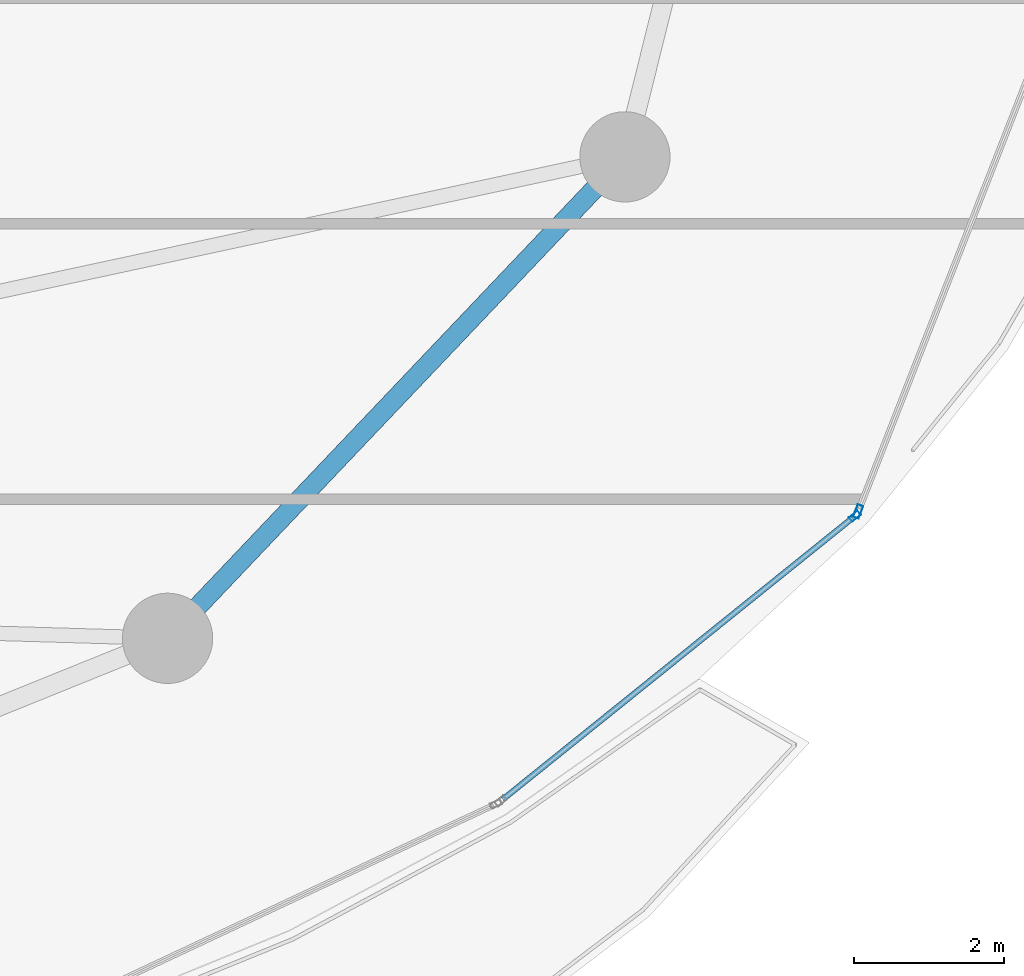
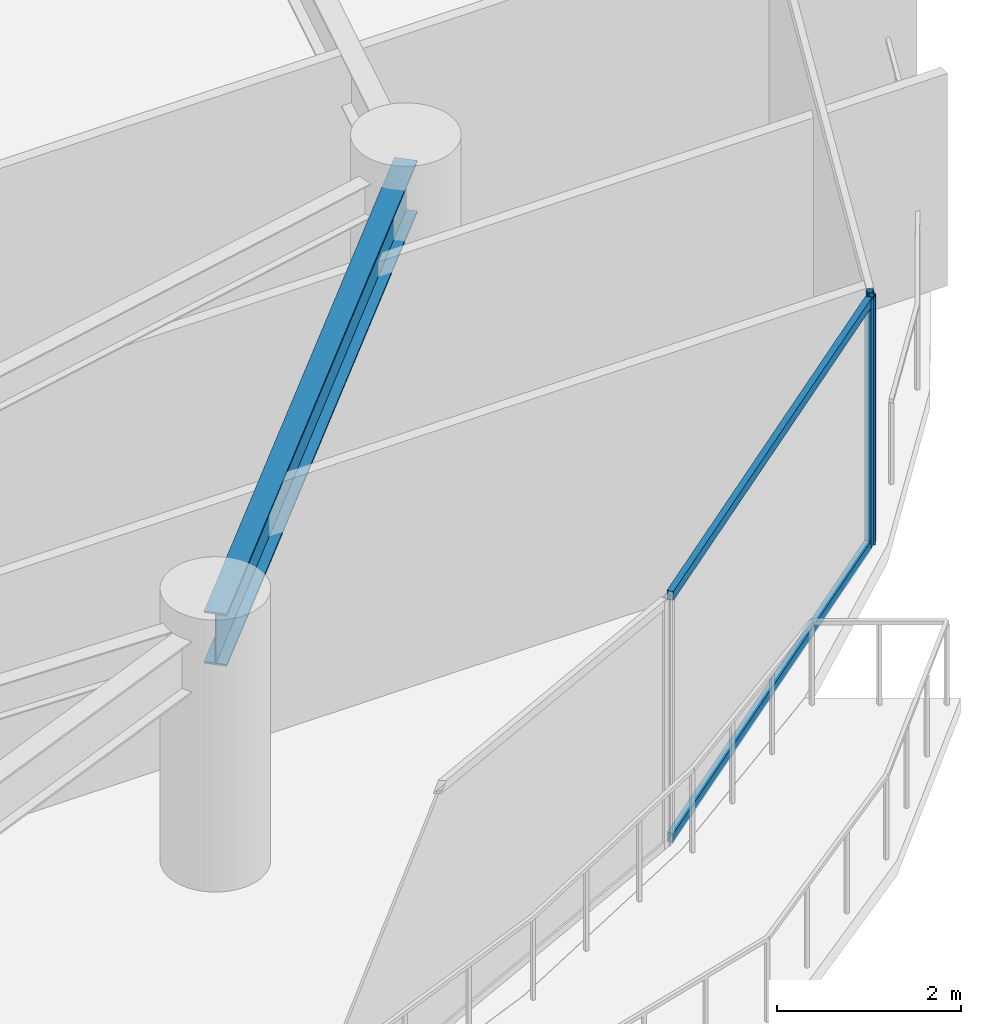
# One storey, part 15 of 33: 4 members, 1 beam, 2 elements without a shape of their own.
"""IFC4 building model written with IfcOpenShell, lengths in metres."""

from ifc_helpers import new_model, si_unit, direction, frame, origin, origin_2d, place, context, subcontext, project, spatial, hollow_rectangle, i_section, extrude, material, layer, layer_set, material_profile, profile_set, type_object, element, aggregate, save


model = new_model("IFC4")

# Units and contexts
model_context = context("Model", 3, precision=1e-05, world=origin(), true_north=direction((0.0, 1.0)))
body_context = subcontext(model_context, "Body", "Model", "MODEL_VIEW")
ifc_project = project(units=[si_unit("LENGTHUNIT", "METRE"), si_unit("AREAUNIT", "SQUARE_METRE"), si_unit("VOLUMEUNIT", "CUBIC_METRE"), si_unit("PLANEANGLEUNIT", "RADIAN"), si_unit("MASSUNIT", "GRAM", prefix="KILO")], contexts=[model_context])

# Site, building, storey
site_placement = place(None, origin())
site = spatial("IfcSite", under=ifc_project, at=site_placement, CompositionType="ELEMENT")
building_placement = place(site_placement, origin())
building = spatial("IfcBuilding", under=site, at=building_placement, Name="Kazevale Care Tower and Concert Hall", CompositionType="ELEMENT")
storey_placement = place(building_placement, frame((0.0, 0.0, 178.199951171875)))
storey = spatial("IfcBuildingStorey", under=building, at=storey_placement, Name="L47", CompositionType="ELEMENT", Elevation=178.199951171875)

# Curtain wall, member
ifc_material_1 = material(Name="Aluminium 6063-T6 and Low-E Glass", Category="aluminium")
ifc_layer_1 = layer(ifc_material_1, 0.179931640625)
ifc_layer_set_1 = layer_set([ifc_layer_1], Name="Aluminium 6063-T6 and Low-E Glass")
curtain_wall_type_1 = type_object("IfcCurtainWallType", Name="Waist & Upper Residential Curtain Wall CW-4", PredefinedType="NOTDEFINED", material=ifc_layer_set_1)
curtain_wall_1_placement = place(storey_placement, origin())
curtain_wall_1 = element("IfcCurtainWall", 1, at=curtain_wall_1_placement, inside=storey, type_object=curtain_wall_type_1, Name="cw:L47:f01", PredefinedType="NOTDEFINED")
ifc_material_2 = material(Name="Aluminium 6063-T6", Category="aluminium")
ifc_material_profile_1 = material_profile(ifc_material_2, hollow_rectangle(XDim=0.080078125, YDim=0.179931640625, WallThickness=0.0048828125, at=origin_2d()), Name="ALU80x180x5")
ifc_profile_set_1 = profile_set([ifc_material_profile_1], Name="Aluminium 6063-T6")
member_type_1 = type_object("IfcMemberType", Name="CW-4 Mullion ALU80x180x5", PredefinedType="MULLION", material=ifc_profile_set_1)
member_1_placement = place(storey_placement, frame((74.010498046875, 24.67529296875, 0.0), z_axis=(0.0, 0.0, 1.0), x_axis=(0.931351746651, -0.36412075471, 0.0)))
member_1 = element("IfcMember", 2, at=member_1_placement, type_object=member_type_1, Name="CW-4 mullion 2", PredefinedType="MULLION", context=body_context, shape_type="SweptSolid", body=[
    extrude(hollow_rectangle(XDim=0.080078125, YDim=0.179931640625, WallThickness=0.0048828125, at=origin_2d()), origin(), (0.0, 0.0, 1.0), 3.280029296875),
])
aggregate(curtain_wall_1, [member_1])

# Curtain wall, members
ifc_layer_2 = layer(ifc_material_1, 0.179931640625)
ifc_layer_set_2 = layer_set([ifc_layer_2], Name="Aluminium 6063-T6 and Low-E Glass")
curtain_wall_type_2 = type_object("IfcCurtainWallType", Name="Sheltered Concave Balcony Curtain Wall CW-5", PredefinedType="NOTDEFINED", material=ifc_layer_set_2)
curtain_wall_2_placement = place(storey_placement, origin())
curtain_wall_2 = element("IfcCurtainWall", 3, at=curtain_wall_2_placement, inside=storey, type_object=curtain_wall_type_2, Name="cw:L47:f02", PredefinedType="NOTDEFINED")
ifc_material_profile_2 = material_profile(ifc_material_2, hollow_rectangle(XDim=0.074951171875, YDim=0.14990234375, WallThickness=0.00390625, at=origin_2d()), Name="ALU75x150x4")
ifc_profile_set_2 = profile_set([ifc_material_profile_2], Name="Aluminium 6063-T6")
member_type_2 = type_object("IfcMemberType", Name="CW-5 Mullion ALU75x150x4", PredefinedType="MULLION", material=ifc_profile_set_2)
member_2_placement = place(storey_placement, frame((73.966796875, 24.614501953125, 0.0), z_axis=(0.0, 0.0, 1.0), x_axis=(0.626905357502, -0.779095419531, 0.0)))
member_2 = element("IfcMember", 4, at=member_2_placement, type_object=member_type_2, Name="CW-5 mullion 1", PredefinedType="MULLION", context=body_context, shape_type="SweptSolid", body=[
    extrude(hollow_rectangle(XDim=0.074951171875, YDim=0.14990234375, WallThickness=0.00390625, at=origin_2d()), origin(), (0.0, 0.0, 1.0), 3.280029296875),
])
ifc_material_profile_3 = material_profile(ifc_material_2, hollow_rectangle(XDim=0.074951171875, YDim=0.1201171875, WallThickness=0.00390625, at=origin_2d()), Name="ALU75x120x4")
ifc_profile_set_3 = profile_set([ifc_material_profile_3], Name="Aluminium 6063-T6")
member_type_3 = type_object("IfcMemberType", Name="CW-5 Transom ALU75x120x4", PredefinedType="USERDEFINED", material=ifc_profile_set_3)
member_3_placement = place(storey_placement, frame((73.9375, 24.591064453125, 0.03759765625), z_axis=(-0.779097461373, -0.626902819966, 0.0), x_axis=(0.626902819966, -0.779097461373, 0.0)))
member_3 = element("IfcMember", 5, at=member_3_placement, type_object=member_type_3, Name="CW-5 transom 1.1", ObjectType="TRANSOM", PredefinedType="USERDEFINED", context=body_context, shape_type="SweptSolid", body=[
    extrude(hollow_rectangle(XDim=0.074951171875, YDim=0.1201171875, WallThickness=0.00390625, at=origin_2d()), origin(), (0.0, 0.0, 1.0), 5.96728515625),
])
member_4_placement = place(storey_placement, frame((73.9375, 24.591064453125, 3.242431640625), z_axis=(-0.779097461373, -0.626902819966, 0.0), x_axis=(0.626902819966, -0.779097461373, 0.0)))
member_4 = element("IfcMember", 6, at=member_4_placement, type_object=member_type_3, Name="CW-5 transom 1.2", ObjectType="TRANSOM", PredefinedType="USERDEFINED", context=body_context, shape_type="SweptSolid", body=[
    extrude(hollow_rectangle(XDim=0.074951171875, YDim=0.1201171875, WallThickness=0.00390625, at=origin_2d()), origin(), (0.0, 0.0, 1.0), 5.96728515625),
])
aggregate(curtain_wall_2, [member_2, member_3, member_4])

# Beam
ifc_material_3 = material(Name="Steel ASTM A572 Gr 50", Category="steel")
ifc_material_profile_4 = material_profile(ifc_material_3, i_section(OverallWidth=0.256103515625, OverallDepth=0.693115234375, WebThickness=0.014404296875, FlangeThickness=0.023681640625, at=origin_2d()), Name="W690x170")
ifc_profile_set_4 = profile_set([ifc_material_profile_4], Name="Steel ASTM A572 Gr 50")
beam_type = type_object("IfcBeamType", Name="Waist Ring Beam W690x170", PredefinedType="BEAM", material=ifc_profile_set_4)
beam_placement = place(storey_placement, frame((64.830078125, 22.989990234375, 2.93359375), z_axis=(0.688745100728, 0.725003576697, 0.0), x_axis=(-0.725003576697, 0.688745100728, 0.0)))
element("IfcBeam", 7, at=beam_placement, inside=storey, type_object=beam_type, Name="beam:L47:ring:15", PredefinedType="BEAM", context=body_context, shape_type="SweptSolid", body=[
    extrude(i_section(OverallWidth=0.256103515625, OverallDepth=0.693115234375, WebThickness=0.014404296875, FlangeThickness=0.023681640625, at=origin_2d()), origin(), (0.0, 0.0, 1.0), 8.827392578125),
])

save(model, "model.ifc")
